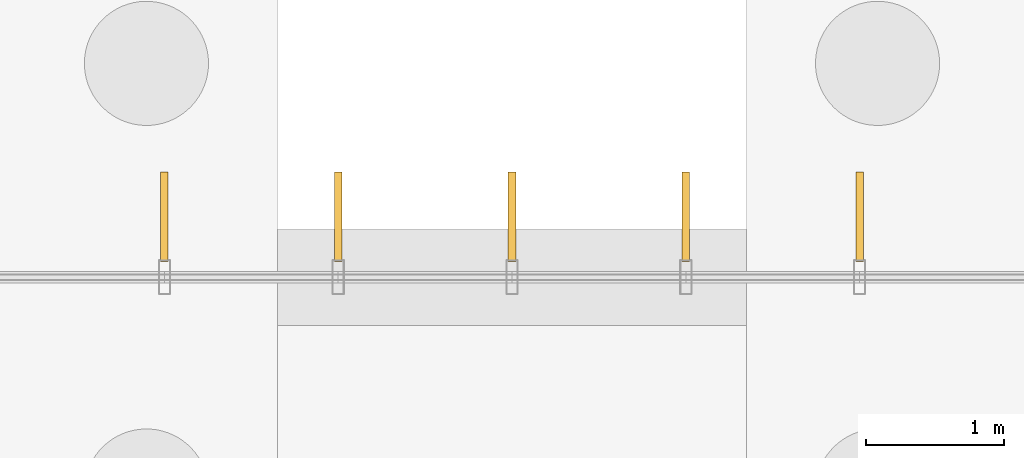
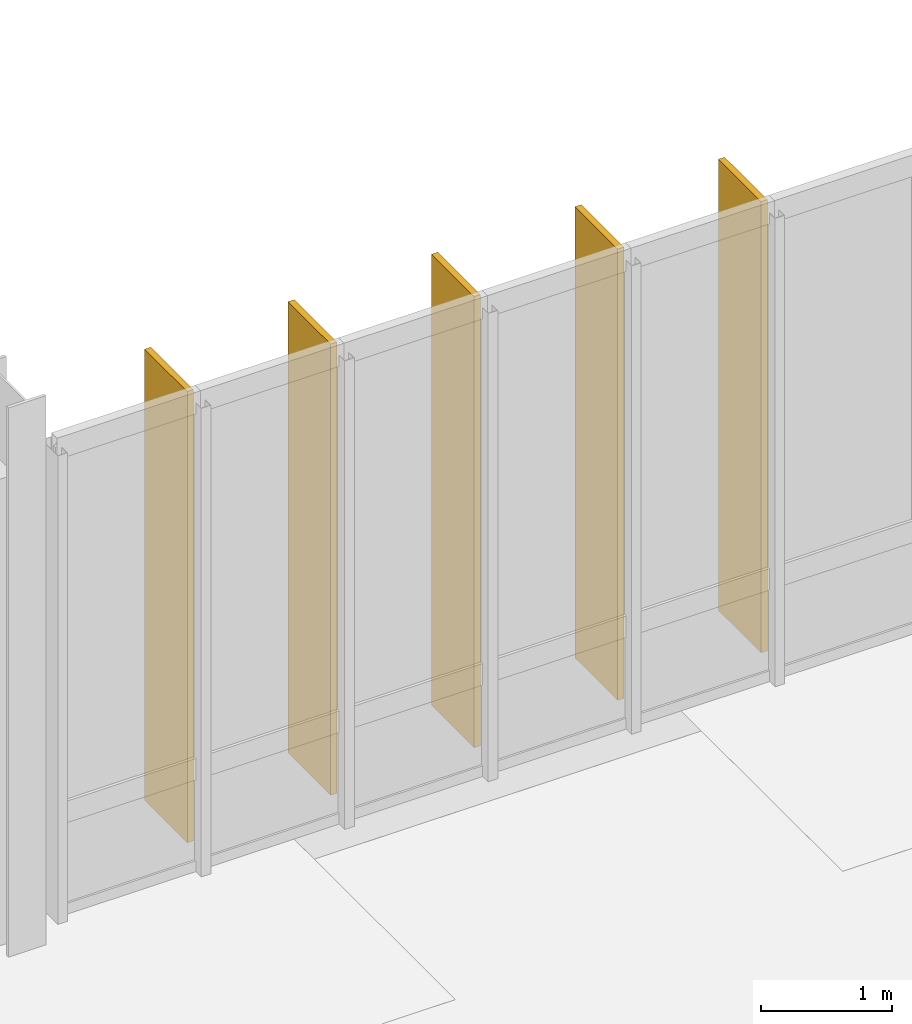
# One storey, part 116 of 119: 5 shading devices.
"""IFC4 building model written with IfcOpenShell, lengths in metres."""

from ifc_helpers import new_model, si_unit, derived_unit, direction, frame, origin, origin_2d, place, context, subcontext, project, spatial, rectangle, extrude, material, layer, layer_set, type_object, element, save


model = new_model("IFC4")

# Units and contexts
model_context = context("Model", 3, precision=1e-05, world=origin(), true_north=direction((0.0, 1.0)))
body_context = subcontext(model_context, "Body", "Model", "MODEL_VIEW")
ifc_project = project(units=[si_unit("LENGTHUNIT", "METRE"), si_unit("AREAUNIT", "SQUARE_METRE"), si_unit("VOLUMEUNIT", "CUBIC_METRE"), si_unit("PLANEANGLEUNIT", "RADIAN"), si_unit("MASSUNIT", "GRAM", prefix="KILO"), derived_unit("THERMALTRANSMITTANCEUNIT", [(si_unit("MASSUNIT", "GRAM", prefix="KILO"), 1), (si_unit("TIMEUNIT", "SECOND"), -3), (si_unit("THERMODYNAMICTEMPERATUREUNIT", "KELVIN"), -1)])], contexts=[model_context])

# Site, building, storey
site_placement = place(None, origin())
site = spatial("IfcSite", under=ifc_project, at=site_placement, CompositionType="ELEMENT")
building_placement = place(site_placement, origin())
building = spatial("IfcBuilding", under=site, at=building_placement, Name="Makaiwela Harbour Ferry Terminal", CompositionType="ELEMENT")
storey_placement = place(building_placement, origin())
storey = spatial("IfcBuildingStorey", under=building, at=storey_placement, Name="L00", CompositionType="ELEMENT", Elevation=0.0)

# Shading devices
ifc_material = material(Name="Marine anodised aluminium 6063-T6", Category="aluminium")
ifc_layer = layer(ifc_material, 0.054931640625)
ifc_layer_set = layer_set([ifc_layer], Name="Marine anodised aluminium 6063-T6")
shading_device_type = type_object("IfcShadingDeviceType", Name="ENV-FIN-650", PredefinedType="USERDEFINED", material=ifc_layer_set)
for number, where, z_axis, x_axis, name in (
    (1, (123.47998046875, 103.837890625, 0.1669921875), (0.0, 0.0, 1.0), (0.0, 1.0, 0.0), "Vertical Solar Fin SFN-0288"),
    (2, (124.739990234375, 103.837890625, 0.1669921875), (0.0, 0.0, 1.0), (0.0, 1.0, 0.0), "Vertical Solar Fin SFN-0289"),
    (3, (126.0, 103.837890625, 0.1669921875), (0.0, 0.0, 1.0), (0.0, 1.0, 0.0), "Vertical Solar Fin SFN-0290"),
    (4, (127.260009765625, 103.837890625, 0.1669921875), (0.0, 0.0, 1.0), (0.0, 1.0, 0.0), "Vertical Solar Fin SFN-0291"),
    (5, (128.52001953125, 103.837890625, 0.1669921875), (0.0, 0.0, 1.0), (0.0, 1.0, 0.0), "Vertical Solar Fin SFN-0292"),
):
    element("IfcShadingDevice", number, at=place(storey_placement, frame(where, z_axis=z_axis, x_axis=x_axis)), inside=storey, type_object=shading_device_type, Name=name, ObjectType="SOLAR FIN", PredefinedType="USERDEFINED", context=body_context, shape_type="SweptSolid", body=[
        extrude(rectangle(XDim=0.64990234375, YDim=0.054931640625, at=origin_2d()), origin(), (0.0, 0.0, 1.0), 4.18994140625),
    ])

save(model, "model.ifc")
